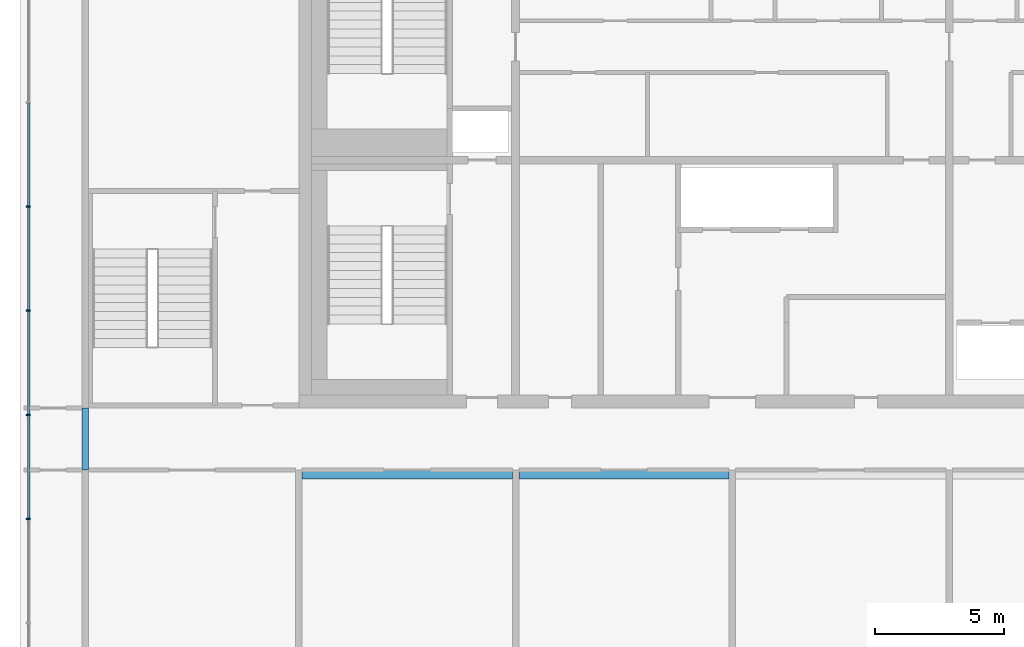
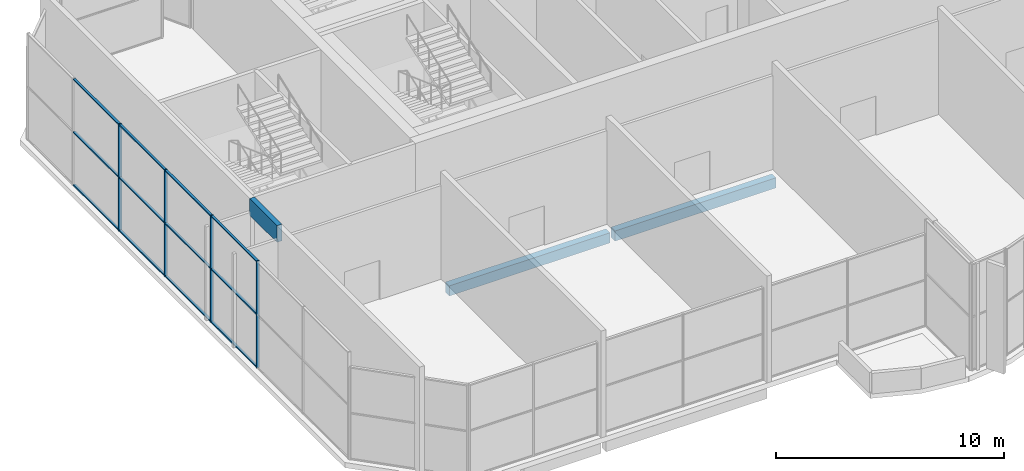
# One storey, part 3 of 17: 16 members, 3 beams, 1 element without a shape of its own.
"""IFC4 building model written with IfcOpenShell, lengths in metres."""

from ifc_helpers import new_model, si_unit, direction, frame, origin, origin_2d, place, context, subcontext, project, spatial, rectangle, extrude, source, transform, mapped, material, material_profile, profile_set, type_object, element, aggregate, save


model = new_model("IFC4")

# Units and contexts
model_context = context("Model", 3, precision=1e-05, world=origin(), true_north=direction((0.0, 1.0)))
body_context = subcontext(model_context, "Body", "Model", "MODEL_VIEW")
ifc_project = project(units=[si_unit("LENGTHUNIT", "METRE"), si_unit("AREAUNIT", "SQUARE_METRE"), si_unit("VOLUMEUNIT", "CUBIC_METRE"), si_unit("PLANEANGLEUNIT", "RADIAN"), si_unit("MASSUNIT", "GRAM", prefix="KILO")], contexts=[model_context])

# Site, building, storey
site_placement = place(None, origin())
site = spatial("IfcSite", under=ifc_project, at=site_placement, CompositionType="ELEMENT")
building_placement = place(site_placement, origin())
building = spatial("IfcBuilding", under=site, at=building_placement, Name="Vanashikhar Sky Hotel", CompositionType="ELEMENT")
storey_placement = place(building_placement, frame((0.0, 0.0, 323.699951171875)))
storey = spatial("IfcBuildingStorey", under=building, at=storey_placement, Name="L77", CompositionType="ELEMENT", Elevation=323.699951171875)

# Beams
ifc_material_1 = material(Name="Concrete M50", Category="concrete")
ifc_material_profile_1 = material_profile(ifc_material_1, rectangle(XDim=0.25, YDim=0.89990234375, at=origin_2d()))
ifc_profile_set_1 = profile_set([ifc_material_profile_1], Name="RC 250x900 beam Concrete M50")
beam_type_1 = type_object("IfcBeamType", Name="RC 250x900 beam Concrete M50", PredefinedType="LINTEL", material=ifc_profile_set_1)
shared_shape_1 = source(origin(), body_context, "Body", "SweptSolid", [
    extrude(rectangle(XDim=0.25, YDim=0.89990234375, at=origin_2d()), origin(), (0.0, 0.0, 1.0), 2.39990234375),
])
beam_1_placement = place(storey_placement, frame((16.925048828125, 19.60009765625, 5.27001953125), z_axis=(0.0, 1.0, 0.0), x_axis=(-1.0, 0.0, 0.0)))
element("IfcBeam", 1, at=beam_1_placement, inside=storey, type_object=beam_type_1, Name="LB-L77-XW03", PredefinedType="LINTEL", context=body_context, shape_type="MappedRepresentation", body=[
    mapped(shared_shape_1, transform((0.0, 0.0, 0.0), scale=1.0)),
])
ifc_material_profile_2 = material_profile(ifc_material_1, rectangle(XDim=0.35009765625, YDim=0.550048828125, at=origin_2d()))
ifc_profile_set_2 = profile_set([ifc_material_profile_2], Name="RC 350x550 beam Concrete M50")
beam_type_2 = type_object("IfcBeamType", Name="RC 350x550 beam Concrete M50", PredefinedType="SPANDREL", material=ifc_profile_set_2)
shared_shape_2 = source(origin(), body_context, "Body", "SweptSolid", [
    extrude(rectangle(XDim=0.35009765625, YDim=0.550048828125, at=origin_2d()), origin(), (0.0, 0.0, 1.0), 8.150146484375),
])
beam_2_placement = place(storey_placement, frame((25.324951171875, 19.425048828125, -0.554931640625), z_axis=(1.0, 0.0, 0.0), x_axis=(0.0, 1.0, 0.0)))
element("IfcBeam", 2, at=beam_2_placement, inside=storey, type_object=beam_type_2, Name="CB-L77-01", PredefinedType="SPANDREL", context=body_context, shape_type="MappedRepresentation", body=[
    mapped(shared_shape_2, transform((0.0, 0.0, 0.0), scale=1.0)),
])
shared_shape_3 = source(origin(), body_context, "Body", "SweptSolid", [
    extrude(rectangle(XDim=0.35009765625, YDim=0.550048828125, at=origin_2d()), origin(), (0.0, 0.0, 1.0), 8.14990234375),
])
beam_3_placement = place(storey_placement, frame((33.72509765625, 19.425048828125, -0.554931640625), z_axis=(1.0, 0.0, 0.0), x_axis=(0.0, 1.0, 0.0)))
element("IfcBeam", 3, at=beam_3_placement, inside=storey, type_object=beam_type_2, Name="CB-L77-02", PredefinedType="SPANDREL", context=body_context, shape_type="MappedRepresentation", body=[
    mapped(shared_shape_3, transform((0.0, 0.0, 0.0), scale=1.0)),
])

# Curtain wall, members
ifc_material_2 = material(Name="Glass", Category="glass")
curtain_wall_type = type_object("IfcCurtainWallType", Name="Sky restaurant glazing", PredefinedType="NOTDEFINED", material=ifc_material_2)
curtain_wall_placement = place(storey_placement, origin())
curtain_wall = element("IfcCurtainWall", 4, at=curtain_wall_placement, inside=storey, type_object=curtain_wall_type, Name="Sky restaurant glazing", PredefinedType="NOTDEFINED")
ifc_material_3 = material(Name="Aluminium 6063-T6", Category="aluminium")
ifc_material_profile_3 = material_profile(ifc_material_3, rectangle(XDim=0.159912109375, YDim=0.06005859375, at=origin_2d()))
ifc_profile_set_3 = profile_set([ifc_material_profile_3], Name="Aluminium 6063-T6")
member_type_1 = type_object("IfcMemberType", Name="Sky restaurant mullion 60 x 160", PredefinedType="MULLION", material=ifc_profile_set_3)
shared_shape_4 = source(origin(), body_context, "Body", "SweptSolid", [
    extrude(rectangle(XDim=0.159912109375, YDim=0.06005859375, at=origin_2d()), origin(), (0.0, 0.0, 1.0), 5.719970703125),
])
member_1_placement = place(storey_placement, frame((14.72509765625, 29.799560546875, 0.0), z_axis=(0.0, 0.0, 1.0), x_axis=(1.0, 0.0, 0.0)))
member_1 = element("IfcMember", 5, at=member_1_placement, type_object=member_type_1, Name="CW-5 mullion 3", PredefinedType="MULLION", context=body_context, shape_type="MappedRepresentation", body=[
    mapped(shared_shape_4, transform((0.0, 0.0, 0.0), scale=1.0)),
])
member_2_placement = place(storey_placement, frame((14.72509765625, 25.7666015625, 0.0), z_axis=(0.0, 0.0, 1.0), x_axis=(1.0, 0.0, 0.0)))
member_2 = element("IfcMember", 6, at=member_2_placement, type_object=member_type_1, Name="CW-5 mullion 4", PredefinedType="MULLION", context=body_context, shape_type="MappedRepresentation", body=[
    mapped(shared_shape_4, transform((0.0, 0.0, 0.0), scale=1.0)),
])
member_3_placement = place(storey_placement, frame((14.72509765625, 21.7333984375, 0.0), z_axis=(0.0, 0.0, 1.0), x_axis=(1.0, 0.0, 0.0)))
member_3 = element("IfcMember", 7, at=member_3_placement, type_object=member_type_1, Name="CW-5 mullion 5", PredefinedType="MULLION", context=body_context, shape_type="MappedRepresentation", body=[
    mapped(shared_shape_4, transform((0.0, 0.0, 0.0), scale=1.0)),
])
member_4_placement = place(storey_placement, frame((14.72509765625, 17.700439453125, 0.0), z_axis=(0.0, 0.0, 1.0), x_axis=(1.0, 0.0, 0.0)))
member_4 = element("IfcMember", 8, at=member_4_placement, type_object=member_type_1, Name="CW-5 mullion 6", PredefinedType="MULLION", context=body_context, shape_type="MappedRepresentation", body=[
    mapped(shared_shape_4, transform((0.0, 0.0, 0.0), scale=1.0)),
])
ifc_material_profile_4 = material_profile(ifc_material_3, rectangle(XDim=0.1201171875, YDim=0.06005859375, at=origin_2d()))
ifc_profile_set_4 = profile_set([ifc_material_profile_4], Name="Aluminium 6063-T6")
member_type_2 = type_object("IfcMemberType", Name="Sky restaurant transom 60 x 120", PredefinedType="USERDEFINED", material=ifc_profile_set_4)
shared_shape_5 = source(origin(), body_context, "Body", "SweptSolid", [
    extrude(rectangle(XDim=0.1201171875, YDim=0.06005859375, at=origin_2d()), origin(), (0.0, 0.0, 1.0), 3.97314453125),
])
member_5_placement = place(storey_placement, frame((14.72509765625, 33.802490234375, 0.030029296875), z_axis=(0.0, -1.0, 0.0), x_axis=(1.0, 0.0, 0.0)))
member_5 = element("IfcMember", 9, at=member_5_placement, type_object=member_type_2, Name="CW-5 transom 2.1", ObjectType="TRANSOM", PredefinedType="USERDEFINED", context=body_context, shape_type="MappedRepresentation", body=[
    mapped(shared_shape_5, transform((0.0, 0.0, 0.0), scale=1.0)),
])
member_6_placement = place(storey_placement, frame((14.72509765625, 33.802490234375, 2.860107421875), z_axis=(0.0, -1.0, 0.0), x_axis=(1.0, 0.0, 0.0)))
member_6 = element("IfcMember", 10, at=member_6_placement, type_object=member_type_2, Name="CW-5 transom 2.2", ObjectType="TRANSOM", PredefinedType="USERDEFINED", context=body_context, shape_type="MappedRepresentation", body=[
    mapped(shared_shape_5, transform((0.0, 0.0, 0.0), scale=1.0)),
])
member_7_placement = place(storey_placement, frame((14.72509765625, 33.802490234375, 5.68994140625), z_axis=(0.0, -1.0, 0.0), x_axis=(1.0, 0.0, 0.0)))
member_7 = element("IfcMember", 11, at=member_7_placement, type_object=member_type_2, Name="CW-5 transom 2.3", ObjectType="TRANSOM", PredefinedType="USERDEFINED", context=body_context, shape_type="MappedRepresentation", body=[
    mapped(shared_shape_5, transform((0.0, 0.0, 0.0), scale=1.0)),
])
member_8_placement = place(storey_placement, frame((14.72509765625, 29.76953125, 0.030029296875), z_axis=(0.0, -1.0, 0.0), x_axis=(1.0, 0.0, 0.0)))
member_8 = element("IfcMember", 12, at=member_8_placement, type_object=member_type_2, Name="CW-5 transom 3.1", ObjectType="TRANSOM", PredefinedType="USERDEFINED", context=body_context, shape_type="MappedRepresentation", body=[
    mapped(shared_shape_5, transform((0.0, 0.0, 0.0), scale=1.0)),
])
member_9_placement = place(storey_placement, frame((14.72509765625, 29.76953125, 2.860107421875), z_axis=(0.0, -1.0, 0.0), x_axis=(1.0, 0.0, 0.0)))
member_9 = element("IfcMember", 13, at=member_9_placement, type_object=member_type_2, Name="CW-5 transom 3.2", ObjectType="TRANSOM", PredefinedType="USERDEFINED", context=body_context, shape_type="MappedRepresentation", body=[
    mapped(shared_shape_5, transform((0.0, 0.0, 0.0), scale=1.0)),
])
member_10_placement = place(storey_placement, frame((14.72509765625, 29.76953125, 5.68994140625), z_axis=(0.0, -1.0, 0.0), x_axis=(1.0, 0.0, 0.0)))
member_10 = element("IfcMember", 14, at=member_10_placement, type_object=member_type_2, Name="CW-5 transom 3.3", ObjectType="TRANSOM", PredefinedType="USERDEFINED", context=body_context, shape_type="MappedRepresentation", body=[
    mapped(shared_shape_5, transform((0.0, 0.0, 0.0), scale=1.0)),
])
member_11_placement = place(storey_placement, frame((14.72509765625, 25.736572265625, 0.030029296875), z_axis=(0.0, -1.0, 0.0), x_axis=(1.0, 0.0, 0.0)))
member_11 = element("IfcMember", 15, at=member_11_placement, type_object=member_type_2, Name="CW-5 transom 4.1", ObjectType="TRANSOM", PredefinedType="USERDEFINED", context=body_context, shape_type="MappedRepresentation", body=[
    mapped(shared_shape_5, transform((0.0, 0.0, 0.0), scale=1.0)),
])
member_12_placement = place(storey_placement, frame((14.72509765625, 25.736572265625, 2.860107421875), z_axis=(0.0, -1.0, 0.0), x_axis=(1.0, 0.0, 0.0)))
member_12 = element("IfcMember", 16, at=member_12_placement, type_object=member_type_2, Name="CW-5 transom 4.2", ObjectType="TRANSOM", PredefinedType="USERDEFINED", context=body_context, shape_type="MappedRepresentation", body=[
    mapped(shared_shape_5, transform((0.0, 0.0, 0.0), scale=1.0)),
])
member_13_placement = place(storey_placement, frame((14.72509765625, 25.736572265625, 5.68994140625), z_axis=(0.0, -1.0, 0.0), x_axis=(1.0, 0.0, 0.0)))
member_13 = element("IfcMember", 17, at=member_13_placement, type_object=member_type_2, Name="CW-5 transom 4.3", ObjectType="TRANSOM", PredefinedType="USERDEFINED", context=body_context, shape_type="MappedRepresentation", body=[
    mapped(shared_shape_5, transform((0.0, 0.0, 0.0), scale=1.0)),
])
member_14_placement = place(storey_placement, frame((14.72509765625, 21.70361328125, 0.030029296875), z_axis=(0.0, -1.0, 0.0), x_axis=(1.0, 0.0, 0.0)))
member_14 = element("IfcMember", 18, at=member_14_placement, type_object=member_type_2, Name="CW-5 transom 5.1", ObjectType="TRANSOM", PredefinedType="USERDEFINED", context=body_context, shape_type="MappedRepresentation", body=[
    mapped(shared_shape_5, transform((0.0, 0.0, 0.0), scale=1.0)),
])
member_15_placement = place(storey_placement, frame((14.72509765625, 21.70361328125, 2.860107421875), z_axis=(0.0, -1.0, 0.0), x_axis=(1.0, 0.0, 0.0)))
member_15 = element("IfcMember", 19, at=member_15_placement, type_object=member_type_2, Name="CW-5 transom 5.2", ObjectType="TRANSOM", PredefinedType="USERDEFINED", context=body_context, shape_type="MappedRepresentation", body=[
    mapped(shared_shape_5, transform((0.0, 0.0, 0.0), scale=1.0)),
])
member_16_placement = place(storey_placement, frame((14.72509765625, 21.70361328125, 5.68994140625), z_axis=(0.0, -1.0, 0.0), x_axis=(1.0, 0.0, 0.0)))
member_16 = element("IfcMember", 20, at=member_16_placement, type_object=member_type_2, Name="CW-5 transom 5.3", ObjectType="TRANSOM", PredefinedType="USERDEFINED", context=body_context, shape_type="MappedRepresentation", body=[
    mapped(shared_shape_5, transform((0.0, 0.0, 0.0), scale=1.0)),
])
aggregate(curtain_wall, [member_1, member_2, member_3, member_4, member_5, member_6, member_7, member_8, member_9, member_10, member_11, member_12, member_13, member_14, member_15, member_16])

save(model, "model.ifc")
